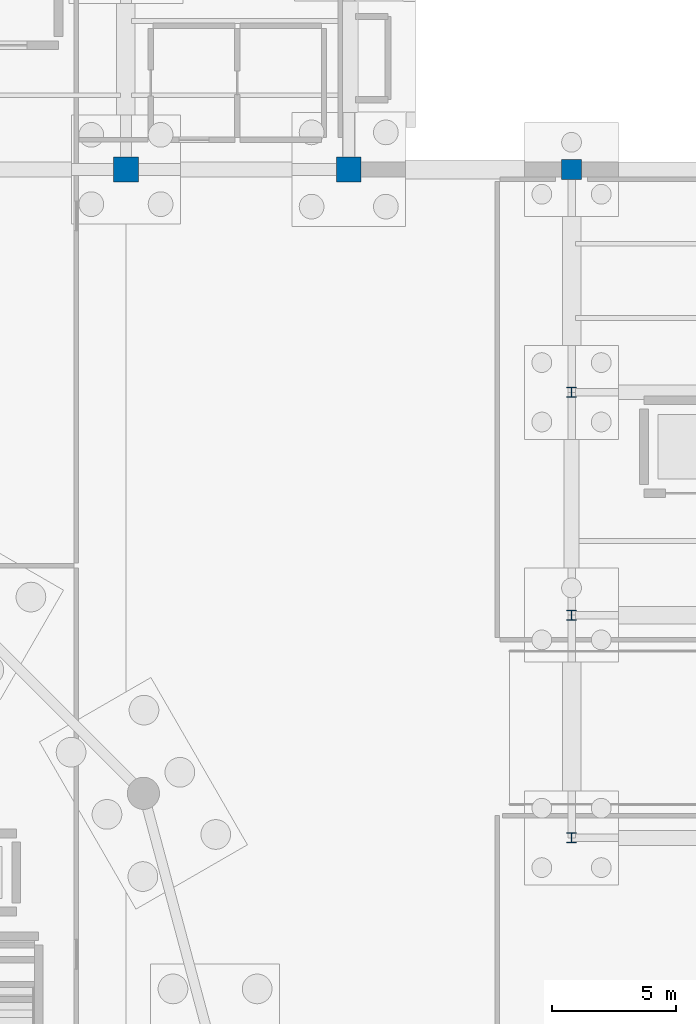
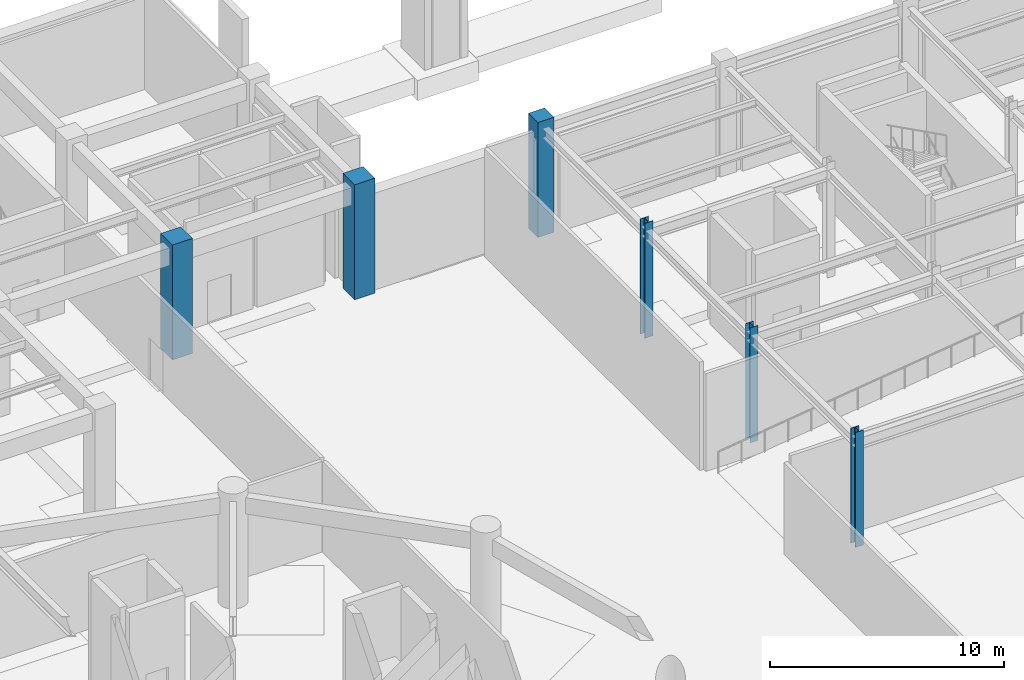
# One storey, part 10 of 36: 6 columns.
"""IFC4 building model written with IfcOpenShell, lengths in metres."""

from ifc_helpers import new_model, si_unit, direction, frame, origin, origin_2d, place, context, subcontext, project, spatial, rectangle, i_section, extrude, material, material_profile, profile_set, type_object, element, save


model = new_model("IFC4")

# Units and contexts
model_context = context("Model", 3, precision=1e-05, world=origin(), true_north=direction((0.0, 1.0)))
body_context = subcontext(model_context, "Body", "Model", "MODEL_VIEW")
ifc_project = project(units=[si_unit("LENGTHUNIT", "METRE"), si_unit("AREAUNIT", "SQUARE_METRE"), si_unit("VOLUMEUNIT", "CUBIC_METRE"), si_unit("PLANEANGLEUNIT", "RADIAN"), si_unit("MASSUNIT", "GRAM", prefix="KILO")], contexts=[model_context])

# Site, building, storey
site_placement = place(None, origin())
site = spatial("IfcSite", under=ifc_project, at=site_placement, CompositionType="ELEMENT")
building_placement = place(site_placement, origin())
building = spatial("IfcBuilding", under=site, at=building_placement, Name="Haizhuo Lancet Aquarium", CompositionType="ELEMENT")
storey_placement = place(building_placement, frame((0.0, 0.0, -6.0)))
storey = spatial("IfcBuildingStorey", under=building, at=storey_placement, Name="B1", CompositionType="ELEMENT", Elevation=-6.0)

# Columns
ifc_material_1 = material(Name="Concrete C50/60", Category="concrete")
ifc_material_profile_1 = material_profile(ifc_material_1, rectangle(XDim=1.0, YDim=1.0, at=origin_2d()), Name="RC-COL 1000x1000")
ifc_profile_set_1 = profile_set([ifc_material_profile_1], Name="Concrete C50/60")
column_type_1 = type_object("IfcColumnType", Name="COL-RC-1000", PredefinedType="COLUMN", material=ifc_profile_set_1)
for number, where, z_axis, x_axis, name in (
    (1, (18.0, 36.0, 0.0), (0.0, 0.0, 1.0), (1.0, 0.0, 0.0), "B1 column V5-COL-103"),
    (2, (27.0, 36.0, 0.0), (0.0, 0.0, 1.0), (1.0, 0.0, 0.0), "B1 column V5-COL-106"),
):
    element("IfcColumn", number, at=place(storey_placement, frame(where, z_axis=z_axis, x_axis=x_axis)), inside=storey, type_object=column_type_1, Name=name, PredefinedType="COLUMN", context=body_context, shape_type="SweptSolid", body=[
        extrude(rectangle(XDim=1.0, YDim=1.0, at=origin_2d()), origin(), (0.0, 0.0, 1.0), 6.0),
    ])
ifc_material_2 = material(Name="Concrete C40/50", Category="concrete")
ifc_material_profile_2 = material_profile(ifc_material_2, rectangle(XDim=0.800048828125, YDim=0.800048828125, at=origin_2d()), Name="RC-COL 800x800")
ifc_profile_set_2 = profile_set([ifc_material_profile_2], Name="Concrete C40/50")
column_type_2 = type_object("IfcColumnType", Name="COL-RC-800", PredefinedType="COLUMN", material=ifc_profile_set_2)
column_placement = place(storey_placement, frame((36.0, 36.0, 0.0), z_axis=(0.0, 0.0, 1.0), x_axis=(1.0, 0.0, 0.0)))
element("IfcColumn", 3, at=column_placement, inside=storey, type_object=column_type_2, Name="B1 column V7-COL-131", PredefinedType="COLUMN", context=body_context, shape_type="SweptSolid", body=[
    extrude(rectangle(XDim=0.800048828125, YDim=0.800048828125, at=origin_2d()), origin(), (0.0, 0.0, 1.0), 6.0),
])
ifc_material_3 = material(Name="Steel S355", Category="steel")
ifc_material_profile_3 = material_profile(ifc_material_3, i_section(OverallWidth=0.39990234375, OverallDepth=0.39990234375, WebThickness=0.012939453125, FlangeThickness=0.02099609375, FilletRadius=0.02197265625, at=origin_2d()), Name="HW 400x400x13x21")
ifc_profile_set_3 = profile_set([ifc_material_profile_3], Name="Steel S355")
column_type_3 = type_object("IfcColumnType", Name="COL-ST-HW400", PredefinedType="COLUMN", material=ifc_profile_set_3)
for number, where, z_axis, x_axis, name in (
    (4, (36.0, 9.0, 0.0), (0.0, 0.0, 1.0), (1.0, 0.0, 0.0), "B1 column V7-COL-128"),
    (5, (36.0, 18.0, 0.0), (0.0, 0.0, 1.0), (1.0, 0.0, 0.0), "B1 column V7-COL-129"),
    (6, (36.0, 27.0, 0.0), (0.0, 0.0, 1.0), (1.0, 0.0, 0.0), "B1 column V7-COL-130"),
):
    element("IfcColumn", number, at=place(storey_placement, frame(where, z_axis=z_axis, x_axis=x_axis)), inside=storey, type_object=column_type_3, Name=name, PredefinedType="COLUMN", context=body_context, shape_type="SweptSolid", body=[
        extrude(i_section(OverallWidth=0.39990234375, OverallDepth=0.39990234375, WebThickness=0.012939453125, FlangeThickness=0.02099609375, FilletRadius=0.02197265625, at=origin_2d()), origin(), (0.0, 0.0, 1.0), 6.0),
    ])

save(model, "model.ifc")
